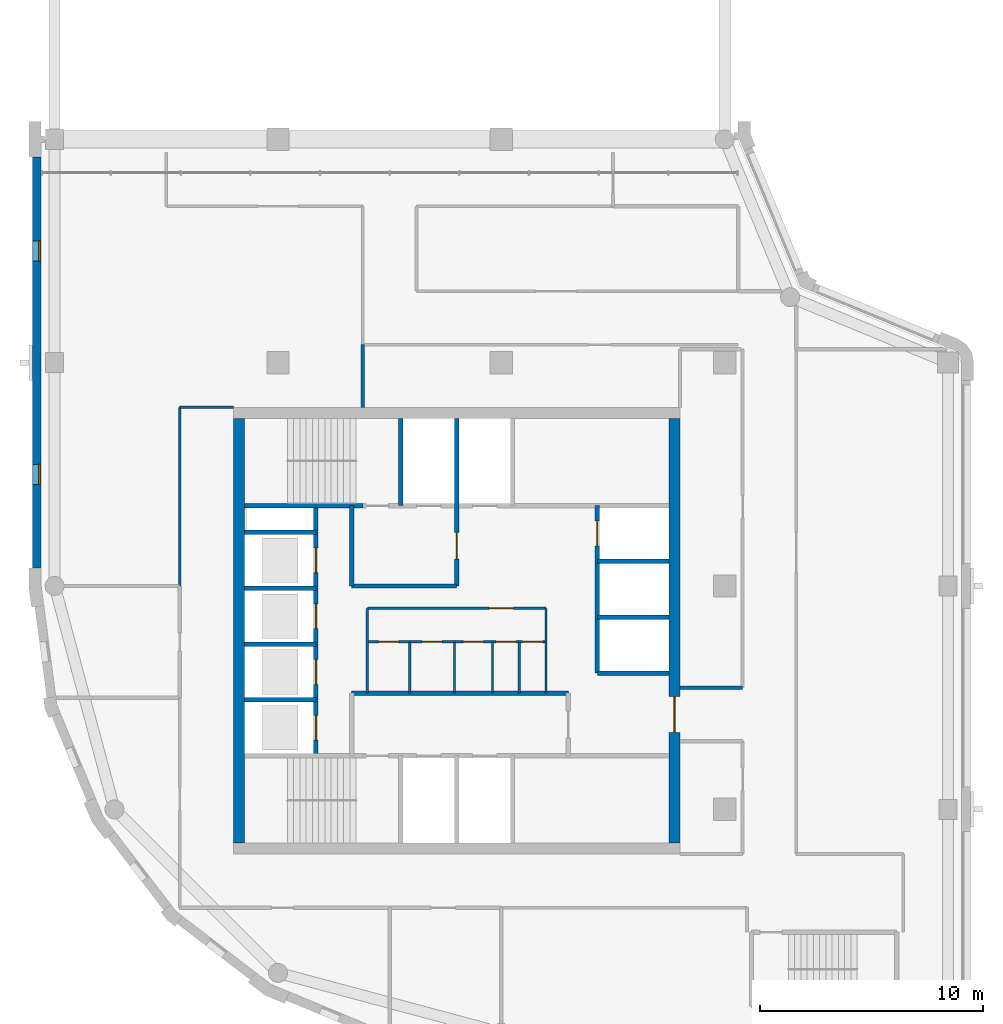
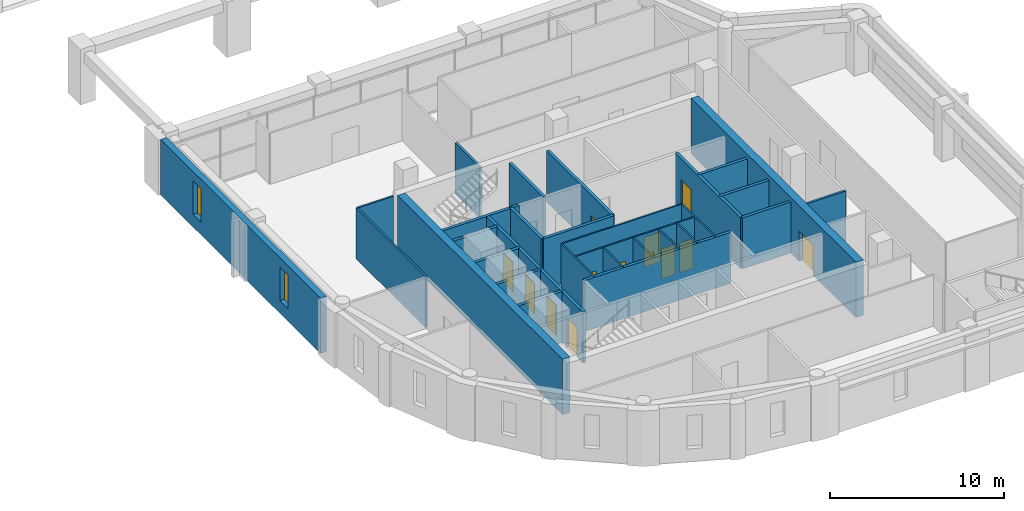
# One storey, part 6 of 11: 30 walls, 13 doors, 2 windows, 15 openings.
"""IFC4 building model written with IfcOpenShell, lengths in metres."""

from ifc_helpers import new_model, si_unit, direction, frame, frame_2d, origin, place, context, subcontext, project, spatial, rectangle, extrude, material, layer, layer_set, type_object, element, fill, save


model = new_model("IFC4")

# Units and contexts
model_context = context("Model", 3, precision=1e-05, world=origin(), true_north=direction((0.0, 1.0)))
body_context = subcontext(model_context, "Body", "Model", "MODEL_VIEW")
ifc_project = project(units=[si_unit("LENGTHUNIT", "METRE"), si_unit("AREAUNIT", "SQUARE_METRE"), si_unit("VOLUMEUNIT", "CUBIC_METRE"), si_unit("PLANEANGLEUNIT", "RADIAN"), si_unit("MASSUNIT", "GRAM", prefix="KILO")], contexts=[model_context])

# Site, building, storey
site_placement = place(None, origin())
site = spatial("IfcSite", under=ifc_project, at=site_placement, CompositionType="ELEMENT")
building_placement = place(site_placement, origin())
building = spatial("IfcBuilding", under=site, at=building_placement, Name="Qaws Garden Tower", CompositionType="ELEMENT")
storey_placement = place(building_placement, frame((0.0, 0.0, 321.60009765625)))
storey = spatial("IfcBuildingStorey", under=building, at=storey_placement, Name="L78", CompositionType="ELEMENT", Elevation=321.60009765625)

# Wall, openings, windows
ifc_material_1 = material(Name="Clay facing brick masonry", Category="masonry")
ifc_layer_1 = layer(ifc_material_1, 0.39990234375)
ifc_layer_set_1 = layer_set([ifc_layer_1], Name="Clay facing brick masonry")
wall_type_1 = type_object("IfcWallType", Name="Brick infill wall 400", PredefinedType="SOLIDWALL", material=ifc_layer_set_1)
wall_1_placement = place(storey_placement, frame((-0.800048828125, 39.199951171875, 0.0), z_axis=(0.0, 0.0, 1.0), x_axis=(0.0, -1.0, 0.0)))
wall_1 = element("IfcWall", 1, at=wall_1_placement, inside=storey, type_object=wall_type_1, Name="E-L78-infill-19", PredefinedType="SOLIDWALL", context=body_context, shape_type="SweptSolid", body=[
    extrude(rectangle(XDim=18.39990234375, YDim=0.39990234375, at=frame_2d((9.199951171875, 0.0))), origin(), (0.0, 0.0, 1.0), 3.89990234375),
])
opening_1_placement = place(wall_1_placement, frame((3.75, 0.0, 0.89990234375)))
opening_1 = element("IfcOpeningElement", 2, at=opening_1_placement, cuts=wall_1, Name="Opening W09", PredefinedType="OPENING", context=body_context, shape_type="SweptSolid", body=[
    extrude(rectangle(XDim=0.89990234375, YDim=2.35009765625, at=frame_2d((0.449951171875, 1.175048828125))), frame((0.0, 0.2099609375, 0.0), z_axis=(0.0, -1.0, 0.0), x_axis=(1.0, 0.0, 0.0)), (0.0, 0.0, 1.0), 0.419921875),
])
opening_2_placement = place(wall_1_placement, frame((13.75, 0.0, 0.89990234375)))
opening_2 = element("IfcOpeningElement", 3, at=opening_2_placement, cuts=wall_1, Name="Opening W09", PredefinedType="OPENING", context=body_context, shape_type="SweptSolid", body=[
    extrude(rectangle(XDim=0.89990234375, YDim=2.35009765625, at=frame_2d((0.449951171875, 1.175048828125))), frame((0.0, 0.2099609375, 0.0), z_axis=(0.0, -1.0, 0.0), x_axis=(1.0, 0.0, 0.0)), (0.0, 0.0, 1.0), 0.419921875),
])
ifc_material_2 = material(Name="Aluminium framed window, clear glazing", Category="aluminium")
window_type = type_object("IfcWindowType", Name="Slit window 900 x 2350", PartitioningType="SINGLE_PANEL", PredefinedType="WINDOW", material=ifc_material_2)
window_1_placement = place(opening_1_placement, origin())
window_1 = element("IfcWindow", 4, at=window_1_placement, inside=storey, type_object=window_type, Name="E-L78-window-19-0", OverallHeight=2.35009765625, OverallWidth=0.89990234375, PartitioningType="SINGLE_PANEL", PredefinedType="WINDOW", context=body_context, shape_type="SweptSolid", body=[
    extrude(rectangle(XDim=0.89990234375, YDim=2.35009765625, at=frame_2d((0.449951171875, 1.175048828125))), frame((0.0, 0.159912109375, 0.0), z_axis=(0.0, -1.0, 0.0), x_axis=(1.0, 0.0, 0.0)), (0.0, 0.0, 1.0), 0.06005859375),
])
fill(opening_1, window_1)
window_2_placement = place(opening_2_placement, origin())
window_2 = element("IfcWindow", 5, at=window_2_placement, inside=storey, type_object=window_type, Name="E-L78-window-20-0", OverallHeight=2.35009765625, OverallWidth=0.89990234375, PartitioningType="SINGLE_PANEL", PredefinedType="WINDOW", context=body_context, shape_type="SweptSolid", body=[
    extrude(rectangle(XDim=0.89990234375, YDim=2.35009765625, at=frame_2d((0.449951171875, 1.175048828125))), frame((0.0, 0.159912109375, 0.0), z_axis=(0.0, -1.0, 0.0), x_axis=(1.0, 0.0, 0.0)), (0.0, 0.0, 1.0), 0.06005859375),
])
fill(opening_2, window_2)

# Wall, openings, doors
ifc_material_3 = material(Name="Plasterboard")
ifc_layer_2 = layer(ifc_material_3, 0.10009765625)
ifc_layer_set_2 = layer_set([ifc_layer_2], Name="Plasterboard")
wall_type_2 = type_object("IfcWallType", Name="Core partition 100", PredefinedType="PARTITIONING", material=ifc_layer_set_2)
wall_2_placement = place(storey_placement, frame((14.0, 17.5, 0.0), z_axis=(0.0, 0.0, 1.0), x_axis=(1.0, 0.0, 0.0)))
wall_2 = element("IfcWall", 6, at=wall_2_placement, inside=storey, type_object=wall_type_2, Name="Core partition", PredefinedType="PARTITIONING", context=body_context, shape_type="SweptSolid", body=[
    extrude(rectangle(XDim=8.0, YDim=0.10009765625, at=frame_2d((4.0, 0.0))), origin(), (0.0, 0.0, 1.0), 3.579833984375),
])
opening_3_placement = place(wall_2_placement, frame((0.5, 0.0, 0.0)))
opening_3 = element("IfcOpeningElement", 7, at=opening_3_placement, cuts=wall_2, Name="Opening WD18", PredefinedType="OPENING", context=body_context, shape_type="SweptSolid", body=[
    extrude(rectangle(XDim=0.89990234375, YDim=2.10009765625, at=frame_2d((0.449951171875, 1.050048828125))), frame((0.0, 0.06005859375, 0.0), z_axis=(0.0, -1.0, 0.0), x_axis=(1.0, 0.0, 0.0)), (0.0, 0.0, 1.0), 0.1201171875),
])
opening_4_placement = place(wall_2_placement, frame((2.449951171875, 0.0, 0.0)))
opening_4 = element("IfcOpeningElement", 8, at=opening_4_placement, cuts=wall_2, Name="Opening WD19", PredefinedType="OPENING", context=body_context, shape_type="SweptSolid", body=[
    extrude(rectangle(XDim=0.89990234375, YDim=2.10009765625, at=frame_2d((0.449951171875, 1.050048828125))), frame((0.0, 0.06005859375, 0.0), z_axis=(0.0, -1.0, 0.0), x_axis=(1.0, 0.0, 0.0)), (0.0, 0.0, 1.0), 0.1201171875),
])
opening_5_placement = place(wall_2_placement, frame((4.300048828125, 0.0, 0.0)))
opening_5 = element("IfcOpeningElement", 9, at=opening_5_placement, cuts=wall_2, Name="Opening WD20", PredefinedType="OPENING", context=body_context, shape_type="SweptSolid", body=[
    extrude(rectangle(XDim=0.89990234375, YDim=2.10009765625, at=frame_2d((0.449951171875, 1.050048828125))), frame((0.0, 0.06005859375, 0.0), z_axis=(0.0, -1.0, 0.0), x_axis=(1.0, 0.0, 0.0)), (0.0, 0.0, 1.0), 0.1201171875),
])
opening_6_placement = place(wall_2_placement, frame((5.75, 0.0, 0.0)))
opening_6 = element("IfcOpeningElement", 10, at=opening_6_placement, cuts=wall_2, Name="Opening WD21", PredefinedType="OPENING", context=body_context, shape_type="SweptSolid", body=[
    extrude(rectangle(XDim=0.89990234375, YDim=2.10009765625, at=frame_2d((0.449951171875, 1.050048828125))), frame((0.0, 0.06005859375, 0.0), z_axis=(0.0, -1.0, 0.0), x_axis=(1.0, 0.0, 0.0)), (0.0, 0.0, 1.0), 0.1201171875),
])
opening_7_placement = place(wall_2_placement, frame((6.949951171875, 0.0, 0.0)))
opening_7 = element("IfcOpeningElement", 11, at=opening_7_placement, cuts=wall_2, Name="Opening WD22", PredefinedType="OPENING", context=body_context, shape_type="SweptSolid", body=[
    extrude(rectangle(XDim=0.89990234375, YDim=2.10009765625, at=frame_2d((0.449951171875, 1.050048828125))), frame((0.0, 0.06005859375, 0.0), z_axis=(0.0, -1.0, 0.0), x_axis=(1.0, 0.0, 0.0)), (0.0, 0.0, 1.0), 0.1201171875),
])
ifc_material_4 = material(Name="Timber", Category="wood")
door_type_1 = type_object("IfcDoorType", Name="WC door 900x2100", OperationType="SINGLE_SWING_LEFT", PredefinedType="DOOR", material=ifc_material_4)
door_1_placement = place(opening_3_placement, frame((0.89990234375, 0.0, 0.0), z_axis=(0.0, 0.0, 1.0), x_axis=(-1.0, 0.0, 0.0)))
door_1 = element("IfcDoor", 12, at=door_1_placement, inside=storey, type_object=door_type_1, Name="Men's WC door", OperationType="SINGLE_SWING_LEFT", OverallHeight=2.10009765625, OverallWidth=0.89990234375, PredefinedType="DOOR", context=body_context, shape_type="SweptSolid", body=[
    extrude(rectangle(XDim=0.89990234375, YDim=2.10009765625, at=frame_2d((0.449951171875, 1.050048828125))), frame((0.0, 0.02490234375, 0.0), z_axis=(0.0, -1.0, 0.0), x_axis=(1.0, 0.0, 0.0)), (0.0, 0.0, 1.0), 0.050048828125),
])
fill(opening_3, door_1)
door_2_placement = place(opening_4_placement, frame((0.89990234375, 0.0, 0.0), z_axis=(0.0, 0.0, 1.0), x_axis=(-1.0, 0.0, 0.0)))
door_2 = element("IfcDoor", 13, at=door_2_placement, inside=storey, type_object=door_type_1, Name="Women's WC door", OperationType="SINGLE_SWING_LEFT", OverallHeight=2.10009765625, OverallWidth=0.89990234375, PredefinedType="DOOR", context=body_context, shape_type="SweptSolid", body=[
    extrude(rectangle(XDim=0.89990234375, YDim=2.10009765625, at=frame_2d((0.449951171875, 1.050048828125))), frame((0.0, 0.02490234375, 0.0), z_axis=(0.0, -1.0, 0.0), x_axis=(1.0, 0.0, 0.0)), (0.0, 0.0, 1.0), 0.050048828125),
])
fill(opening_4, door_2)
door_3_placement = place(opening_5_placement, frame((0.89990234375, 0.0, 0.0), z_axis=(0.0, 0.0, 1.0), x_axis=(-1.0, 0.0, 0.0)))
door_3 = element("IfcDoor", 14, at=door_3_placement, inside=storey, type_object=door_type_1, Name="Accessible WC door", OperationType="SINGLE_SWING_LEFT", OverallHeight=2.10009765625, OverallWidth=0.89990234375, PredefinedType="DOOR", context=body_context, shape_type="SweptSolid", body=[
    extrude(rectangle(XDim=0.89990234375, YDim=2.10009765625, at=frame_2d((0.449951171875, 1.050048828125))), frame((0.0, 0.02490234375, 0.0), z_axis=(0.0, -1.0, 0.0), x_axis=(1.0, 0.0, 0.0)), (0.0, 0.0, 1.0), 0.050048828125),
])
fill(opening_5, door_3)
door_4_placement = place(opening_6_placement, frame((0.89990234375, 0.0, 0.0), z_axis=(0.0, 0.0, 1.0), x_axis=(-1.0, 0.0, 0.0)))
door_4 = element("IfcDoor", 15, at=door_4_placement, inside=storey, type_object=door_type_1, Name="Linen store door", OperationType="SINGLE_SWING_LEFT", OverallHeight=2.10009765625, OverallWidth=0.89990234375, PredefinedType="DOOR", context=body_context, shape_type="SweptSolid", body=[
    extrude(rectangle(XDim=0.89990234375, YDim=2.10009765625, at=frame_2d((0.449951171875, 1.050048828125))), frame((0.0, 0.02490234375, 0.0), z_axis=(0.0, -1.0, 0.0), x_axis=(1.0, 0.0, 0.0)), (0.0, 0.0, 1.0), 0.050048828125),
])
fill(opening_6, door_4)
door_5_placement = place(opening_7_placement, frame((0.89990234375, 0.0, 0.0), z_axis=(0.0, 0.0, 1.0), x_axis=(-1.0, 0.0, 0.0)))
door_5 = element("IfcDoor", 16, at=door_5_placement, inside=storey, type_object=door_type_1, Name="Cleaner's store door", OperationType="SINGLE_SWING_LEFT", OverallHeight=2.10009765625, OverallWidth=0.89990234375, PredefinedType="DOOR", context=body_context, shape_type="SweptSolid", body=[
    extrude(rectangle(XDim=0.89990234375, YDim=2.10009765625, at=frame_2d((0.449951171875, 1.050048828125))), frame((0.0, 0.02490234375, 0.0), z_axis=(0.0, -1.0, 0.0), x_axis=(1.0, 0.0, 0.0)), (0.0, 0.0, 1.0), 0.050048828125),
])
fill(opening_7, door_5)

# Wall, opening, door
wall_3_placement = place(storey_placement, frame((14.0, 19.0, 0.0), z_axis=(0.0, 0.0, 1.0), x_axis=(1.0, 0.0, 0.0)))
wall_3 = element("IfcWall", 17, at=wall_3_placement, inside=storey, type_object=wall_type_2, Name="Core partition", PredefinedType="PARTITIONING", context=body_context, shape_type="SweptSolid", body=[
    extrude(rectangle(XDim=8.0, YDim=0.10009765625, at=frame_2d((4.0, 0.0))), origin(), (0.0, 0.0, 1.0), 3.579833984375),
])
opening_8_placement = place(wall_3_placement, frame((5.449951171875, 0.0, 0.0)))
opening_8 = element("IfcOpeningElement", 18, at=opening_8_placement, cuts=wall_3, Name="Opening WL17", PredefinedType="OPENING", context=body_context, shape_type="SweptSolid", body=[
    extrude(rectangle(XDim=1.10009765625, YDim=2.10009765625, at=frame_2d((0.550048828125, 1.050048828125))), frame((0.0, 0.06005859375, 0.0), z_axis=(0.0, -1.0, 0.0), x_axis=(1.0, 0.0, 0.0)), (0.0, 0.0, 1.0), 0.1201171875),
])
ifc_material_5 = material(Name="Timber", Category="wood")
door_type_2 = type_object("IfcDoorType", Name="WC lobby door 1100x2100", OperationType="SINGLE_SWING_LEFT", PredefinedType="DOOR", material=ifc_material_5)
door_6_placement = place(opening_8_placement, frame((1.10009765625, 0.0, 0.0), z_axis=(0.0, 0.0, 1.0), x_axis=(-1.0, 0.0, 0.0)))
door_6 = element("IfcDoor", 19, at=door_6_placement, inside=storey, type_object=door_type_2, Name="WC lobby door", OperationType="SINGLE_SWING_LEFT", OverallHeight=2.10009765625, OverallWidth=1.10009765625, PredefinedType="DOOR", context=body_context, shape_type="SweptSolid", body=[
    extrude(rectangle(XDim=1.10009765625, YDim=2.10009765625, at=frame_2d((0.550048828125, 1.050048828125))), frame((0.0, 0.02490234375, 0.0), z_axis=(0.0, -1.0, 0.0), x_axis=(1.0, 0.0, 0.0)), (0.0, 0.0, 1.0), 0.050048828125),
])
fill(opening_8, door_6)

# Walls
wall_4_placement = place(storey_placement, frame((14.0, 15.199951171875, 0.0), z_axis=(0.0, 0.0, 1.0), x_axis=(0.0, 1.0, 0.0)))
element("IfcWall", 20, at=wall_4_placement, inside=storey, type_object=wall_type_2, Name="Core partition", PredefinedType="PARTITIONING", context=body_context, shape_type="SweptSolid", body=[
    extrude(rectangle(XDim=3.800048828125, YDim=0.10009765625, at=frame_2d((1.89990234375, 0.0))), origin(), (0.0, 0.0, 1.0), 3.579833984375),
])
for number, where, z_axis, x_axis, name in (
    (21, (15.89990234375, 15.199951171875, 0.0), (0.0, 0.0, 1.0), (0.0, 1.0, 0.0), "Core partition"),
    (22, (17.89990234375, 15.199951171875, 0.0), (0.0, 0.0, 1.0), (0.0, 1.0, 0.0), "Core partition"),
    (23, (19.60009765625, 15.199951171875, 0.0), (0.0, 0.0, 1.0), (0.0, 1.0, 0.0), "Core partition"),
    (24, (20.800048828125, 15.199951171875, 0.0), (0.0, 0.0, 1.0), (0.0, 1.0, 0.0), "Core partition"),
):
    element("IfcWall", number, at=place(storey_placement, frame(where, z_axis=z_axis, x_axis=x_axis)), inside=storey, type_object=wall_type_2, Name=name, PredefinedType="PARTITIONING", context=body_context, shape_type="SweptSolid", body=[
        extrude(rectangle(XDim=2.300048828125, YDim=0.10009765625, at=frame_2d((1.14990234375, 0.0))), origin(), (0.0, 0.0, 1.0), 3.579833984375),
    ])
wall_5_placement = place(storey_placement, frame((22.0, 15.199951171875, 0.0), z_axis=(0.0, 0.0, 1.0), x_axis=(0.0, 1.0, 0.0)))
element("IfcWall", 25, at=wall_5_placement, inside=storey, type_object=wall_type_2, Name="Core partition", PredefinedType="PARTITIONING", context=body_context, shape_type="SweptSolid", body=[
    extrude(rectangle(XDim=3.800048828125, YDim=0.10009765625, at=frame_2d((1.89990234375, 0.0))), origin(), (0.0, 0.0, 1.0), 3.579833984375),
])
ifc_material_6 = material(Name="Concrete C60", Category="concrete")
ifc_layer_3 = layer(ifc_material_6, 0.199951171875)
ifc_layer_set_3 = layer_set([ifc_layer_3], Name="Concrete C60")
wall_type_3 = type_object("IfcWallType", Name="Core shaft wall 200 C60", PredefinedType="SHEAR", material=ifc_layer_set_3)
wall_6_placement = place(storey_placement, frame((8.5, 14.89990234375, 0.0), z_axis=(0.0, 0.0, 1.0), x_axis=(1.0, 0.0, 0.0)))
element("IfcWall", 26, at=wall_6_placement, inside=storey, type_object=wall_type_3, Name="Shaft wall", PredefinedType="SHEAR", context=body_context, shape_type="SweptSolid", body=[
    extrude(rectangle(XDim=3.199951171875, YDim=0.199951171875, at=frame_2d((1.60009765625, 0.0))), origin(), (0.0, 0.0, 1.0), 3.579833984375),
])
wall_7_placement = place(storey_placement, frame((13.300048828125, 15.199951171875, 0.0), z_axis=(0.0, 0.0, 1.0), x_axis=(1.0, 0.0, 0.0)))
element("IfcWall", 27, at=wall_7_placement, inside=storey, type_object=wall_type_3, Name="Shaft wall", PredefinedType="SHEAR", context=body_context, shape_type="SweptSolid", body=[
    extrude(rectangle(XDim=9.699951171875, YDim=0.199951171875, at=frame_2d((4.85009765625, 0.0))), origin(), (0.0, 0.0, 1.0), 3.579833984375),
])
for number, where, z_axis, x_axis, name in (
    (28, (24.300048828125, 16.10009765625, 0.0), (0.0, 0.0, 1.0), (1.0, 0.0, 0.0), "Shaft wall"),
    (29, (8.5, 17.39990234375, 0.0), (0.0, 0.0, 1.0), (1.0, 0.0, 0.0), "Shaft wall"),
    (30, (24.300048828125, 18.60009765625, 0.0), (0.0, 0.0, 1.0), (1.0, 0.0, 0.0), "Shaft wall"),
    (31, (8.5, 19.89990234375, 0.0), (0.0, 0.0, 1.0), (1.0, 0.0, 0.0), "Shaft wall"),
):
    element("IfcWall", number, at=place(storey_placement, frame(where, z_axis=z_axis, x_axis=x_axis)), inside=storey, type_object=wall_type_3, Name=name, PredefinedType="SHEAR", context=body_context, shape_type="SweptSolid", body=[
        extrude(rectangle(XDim=3.199951171875, YDim=0.199951171875, at=frame_2d((1.60009765625, 0.0))), origin(), (0.0, 0.0, 1.0), 3.579833984375),
    ])
wall_8_placement = place(storey_placement, frame((13.300048828125, 20.0, 0.0), z_axis=(0.0, 0.0, 1.0), x_axis=(1.0, 0.0, 0.0)))
element("IfcWall", 32, at=wall_8_placement, inside=storey, type_object=wall_type_3, Name="Shaft wall", PredefinedType="SHEAR", context=body_context, shape_type="SweptSolid", body=[
    extrude(rectangle(XDim=4.699951171875, YDim=0.199951171875, at=frame_2d((2.35009765625, 0.0))), origin(), (0.0, 0.0, 1.0), 3.579833984375),
])
for number, where, z_axis, x_axis, name in (
    (33, (24.300048828125, 21.10009765625, 0.0), (0.0, 0.0, 1.0), (1.0, 0.0, 0.0), "Shaft wall"),
    (34, (8.5, 22.39990234375, 0.0), (0.0, 0.0, 1.0), (1.0, 0.0, 0.0), "Shaft wall"),
):
    element("IfcWall", number, at=place(storey_placement, frame(where, z_axis=z_axis, x_axis=x_axis)), inside=storey, type_object=wall_type_3, Name=name, PredefinedType="SHEAR", context=body_context, shape_type="SweptSolid", body=[
        extrude(rectangle(XDim=3.199951171875, YDim=0.199951171875, at=frame_2d((1.60009765625, 0.0))), origin(), (0.0, 0.0, 1.0), 3.579833984375),
    ])
wall_9_placement = place(storey_placement, frame((8.5, 23.60009765625, 0.0), z_axis=(0.0, 0.0, 1.0), x_axis=(1.0, 0.0, 0.0)))
element("IfcWall", 35, at=wall_9_placement, inside=storey, type_object=wall_type_3, Name="Shaft wall", PredefinedType="SHEAR", context=body_context, shape_type="SweptSolid", body=[
    extrude(rectangle(XDim=5.300048828125, YDim=0.199951171875, at=frame_2d((2.64990234375, 0.0))), origin(), (0.0, 0.0, 1.0), 3.579833984375),
])

# Wall, openings, doors
wall_10_placement = place(storey_placement, frame((11.699951171875, 12.39990234375, 0.0), z_axis=(0.0, 0.0, 1.0), x_axis=(0.0, 1.0, 0.0)))
wall_10 = element("IfcWall", 36, at=wall_10_placement, inside=storey, type_object=wall_type_3, Name="Shaft wall", PredefinedType="SHEAR", context=body_context, shape_type="SweptSolid", body=[
    extrude(rectangle(XDim=11.2001953125, YDim=0.199951171875, at=frame_2d((5.60009765625, 0.0))), origin(), (0.0, 0.0, 1.0), 3.579833984375),
])
opening_9_placement = place(wall_10_placement, frame((0.699951171875, 0.0, 0.0)))
opening_9 = element("IfcOpeningElement", 37, at=opening_9_placement, cuts=wall_10, Name="Opening LD01", PredefinedType="OPENING", context=body_context, shape_type="SweptSolid", body=[
    extrude(rectangle(XDim=1.10009765625, YDim=2.10009765625, at=frame_2d((0.550048828125, 1.050048828125))), frame((0.0, 0.10986328125, 0.0), z_axis=(0.0, -1.0, 0.0), x_axis=(1.0, 0.0, 0.0)), (0.0, 0.0, 1.0), 0.219970703125),
])
opening_10_placement = place(wall_10_placement, frame((3.199951171875, 0.0, 0.0)))
opening_10 = element("IfcOpeningElement", 38, at=opening_10_placement, cuts=wall_10, Name="Opening LD02", PredefinedType="OPENING", context=body_context, shape_type="SweptSolid", body=[
    extrude(rectangle(XDim=1.10009765625, YDim=2.10009765625, at=frame_2d((0.550048828125, 1.050048828125))), frame((0.0, 0.10986328125, 0.0), z_axis=(0.0, -1.0, 0.0), x_axis=(1.0, 0.0, 0.0)), (0.0, 0.0, 1.0), 0.219970703125),
])
opening_11_placement = place(wall_10_placement, frame((5.699951171875, 0.0, 0.0)))
opening_11 = element("IfcOpeningElement", 39, at=opening_11_placement, cuts=wall_10, Name="Opening LD03", PredefinedType="OPENING", context=body_context, shape_type="SweptSolid", body=[
    extrude(rectangle(XDim=1.10009765625, YDim=2.10009765625, at=frame_2d((0.550048828125, 1.050048828125))), frame((0.0, 0.10986328125, 0.0), z_axis=(0.0, -1.0, 0.0), x_axis=(1.0, 0.0, 0.0)), (0.0, 0.0, 1.0), 0.219970703125),
])
opening_12_placement = place(wall_10_placement, frame((8.199951171875, 0.0, 0.0)))
opening_12 = element("IfcOpeningElement", 40, at=opening_12_placement, cuts=wall_10, Name="Opening LD04", PredefinedType="OPENING", context=body_context, shape_type="SweptSolid", body=[
    extrude(rectangle(XDim=1.10009765625, YDim=2.10009765625, at=frame_2d((0.550048828125, 1.050048828125))), frame((0.0, 0.10986328125, 0.0), z_axis=(0.0, -1.0, 0.0), x_axis=(1.0, 0.0, 0.0)), (0.0, 0.0, 1.0), 0.219970703125),
])
ifc_material_7 = material(Name="Steel S235", Category="steel")
door_type_3 = type_object("IfcDoorType", Name="Landing door 1100x2100", OperationType="DOUBLE_DOOR_SLIDING", PredefinedType="DOOR", material=ifc_material_7)
door_7_placement = place(opening_9_placement, origin())
door_7 = element("IfcDoor", 41, at=door_7_placement, inside=storey, type_object=door_type_3, Name="Lift W1 landing door", OperationType="DOUBLE_DOOR_SLIDING", OverallHeight=2.10009765625, OverallWidth=1.10009765625, PredefinedType="DOOR", context=body_context, shape_type="SweptSolid", body=[
    extrude(rectangle(XDim=1.10009765625, YDim=2.10009765625, at=frame_2d((0.550048828125, 1.050048828125))), frame((0.0, 0.02490234375, 0.0), z_axis=(0.0, -1.0, 0.0), x_axis=(1.0, 0.0, 0.0)), (0.0, 0.0, 1.0), 0.050048828125),
])
fill(opening_9, door_7)
door_8_placement = place(opening_10_placement, origin())
door_8 = element("IfcDoor", 42, at=door_8_placement, inside=storey, type_object=door_type_3, Name="Lift W2 landing door", OperationType="DOUBLE_DOOR_SLIDING", OverallHeight=2.10009765625, OverallWidth=1.10009765625, PredefinedType="DOOR", context=body_context, shape_type="SweptSolid", body=[
    extrude(rectangle(XDim=1.10009765625, YDim=2.10009765625, at=frame_2d((0.550048828125, 1.050048828125))), frame((0.0, 0.02490234375, 0.0), z_axis=(0.0, -1.0, 0.0), x_axis=(1.0, 0.0, 0.0)), (0.0, 0.0, 1.0), 0.050048828125),
])
fill(opening_10, door_8)
door_9_placement = place(opening_11_placement, origin())
door_9 = element("IfcDoor", 43, at=door_9_placement, inside=storey, type_object=door_type_3, Name="Lift W3 landing door", OperationType="DOUBLE_DOOR_SLIDING", OverallHeight=2.10009765625, OverallWidth=1.10009765625, PredefinedType="DOOR", context=body_context, shape_type="SweptSolid", body=[
    extrude(rectangle(XDim=1.10009765625, YDim=2.10009765625, at=frame_2d((0.550048828125, 1.050048828125))), frame((0.0, 0.02490234375, 0.0), z_axis=(0.0, -1.0, 0.0), x_axis=(1.0, 0.0, 0.0)), (0.0, 0.0, 1.0), 0.050048828125),
])
fill(opening_11, door_9)
door_10_placement = place(opening_12_placement, origin())
door_10 = element("IfcDoor", 44, at=door_10_placement, inside=storey, type_object=door_type_3, Name="Lift W4 landing door", OperationType="DOUBLE_DOOR_SLIDING", OverallHeight=2.10009765625, OverallWidth=1.10009765625, PredefinedType="DOOR", context=body_context, shape_type="SweptSolid", body=[
    extrude(rectangle(XDim=1.10009765625, YDim=2.10009765625, at=frame_2d((0.550048828125, 1.050048828125))), frame((0.0, 0.02490234375, 0.0), z_axis=(0.0, -1.0, 0.0), x_axis=(1.0, 0.0, 0.0)), (0.0, 0.0, 1.0), 0.050048828125),
])
fill(opening_12, door_10)

# Walls
wall_11_placement = place(storey_placement, frame((13.300048828125, 20.0, 0.0), z_axis=(0.0, 0.0, 1.0), x_axis=(0.0, 1.0, 0.0)))
element("IfcWall", 45, at=wall_11_placement, inside=storey, type_object=wall_type_3, Name="Shaft wall", PredefinedType="SHEAR", context=body_context, shape_type="SweptSolid", body=[
    extrude(rectangle(XDim=3.60009765625, YDim=0.199951171875, at=frame_2d((1.800048828125, 0.0))), origin(), (0.0, 0.0, 1.0), 3.579833984375),
])
wall_12_placement = place(storey_placement, frame((15.5, 23.60009765625, 0.0), z_axis=(0.0, 0.0, 1.0), x_axis=(0.0, 1.0, 0.0)))
element("IfcWall", 46, at=wall_12_placement, inside=storey, type_object=wall_type_3, Name="Shaft wall", PredefinedType="SHEAR", context=body_context, shape_type="SweptSolid", body=[
    extrude(rectangle(XDim=3.89990234375, YDim=0.199951171875, at=frame_2d((1.949951171875, 0.0))), origin(), (0.0, 0.0, 1.0), 3.579833984375),
])

# Wall, opening, door
wall_13_placement = place(storey_placement, frame((18.0, 20.0, 0.0), z_axis=(0.0, 0.0, 1.0), x_axis=(0.0, 1.0, 0.0)))
wall_13 = element("IfcWall", 47, at=wall_13_placement, inside=storey, type_object=wall_type_3, Name="Shaft wall", PredefinedType="SHEAR", context=body_context, shape_type="SweptSolid", body=[
    extrude(rectangle(XDim=7.5, YDim=0.199951171875, at=frame_2d((3.75, 0.0))), origin(), (0.0, 0.0, 1.0), 3.579833984375),
])
opening_13_placement = place(wall_13_placement, frame((1.199951171875, 0.0, 0.0)))
opening_13 = element("IfcOpeningElement", 48, at=opening_13_placement, cuts=wall_13, Name="Opening FD16", PredefinedType="OPENING", context=body_context, shape_type="SweptSolid", body=[
    extrude(rectangle(XDim=1.199951171875, YDim=2.10009765625, at=frame_2d((0.60009765625, 1.050048828125))), frame((0.0, 0.10986328125, 0.0), z_axis=(0.0, -1.0, 0.0), x_axis=(1.0, 0.0, 0.0)), (0.0, 0.0, 1.0), 0.219970703125),
])
ifc_material_8 = material(Name="Steel S235", Category="steel")
door_type_4 = type_object("IfcDoorType", Name="Lobby door 1200x2100", OperationType="DOUBLE_DOOR_SINGLE_SWING", PredefinedType="DOOR", material=ifc_material_8)
door_11_placement = place(opening_13_placement, origin())
door_11 = element("IfcDoor", 49, at=door_11_placement, inside=storey, type_object=door_type_4, Name="Fire-fighting lobby door", OperationType="DOUBLE_DOOR_SINGLE_SWING", OverallHeight=2.10009765625, OverallWidth=1.199951171875, PredefinedType="DOOR", context=body_context, shape_type="SweptSolid", body=[
    extrude(rectangle(XDim=1.199951171875, YDim=2.10009765625, at=frame_2d((0.60009765625, 1.050048828125))), frame((0.0, 0.02490234375, 0.0), z_axis=(0.0, -1.0, 0.0), x_axis=(1.0, 0.0, 0.0)), (0.0, 0.0, 1.0), 0.050048828125),
])
fill(opening_13, door_11)

wall_14_placement = place(storey_placement, frame((24.300048828125, 16.10009765625, 0.0), z_axis=(0.0, 0.0, 1.0), x_axis=(0.0, 1.0, 0.0)))
wall_14 = element("IfcWall", 50, at=wall_14_placement, inside=storey, type_object=wall_type_3, Name="Shaft wall", PredefinedType="SHEAR", context=body_context, shape_type="SweptSolid", body=[
    extrude(rectangle(XDim=7.5, YDim=0.199951171875, at=frame_2d((3.75, 0.0))), origin(), (0.0, 0.0, 1.0), 3.579833984375),
])
opening_14_placement = place(wall_14_placement, frame((5.699951171875, 0.0, 0.0)))
opening_14 = element("IfcOpeningElement", 51, at=opening_14_placement, cuts=wall_14, Name="Opening LD05", PredefinedType="OPENING", context=body_context, shape_type="SweptSolid", body=[
    extrude(rectangle(XDim=1.10009765625, YDim=2.10009765625, at=frame_2d((0.550048828125, 1.050048828125))), frame((0.0, 0.10986328125, 0.0), z_axis=(0.0, -1.0, 0.0), x_axis=(1.0, 0.0, 0.0)), (0.0, 0.0, 1.0), 0.219970703125),
])
door_12_placement = place(opening_14_placement, origin())
door_12 = element("IfcDoor", 52, at=door_12_placement, inside=storey, type_object=door_type_3, Name="Lift E3 landing door", OperationType="DOUBLE_DOOR_SLIDING", OverallHeight=2.10009765625, OverallWidth=1.10009765625, PredefinedType="DOOR", context=body_context, shape_type="SweptSolid", body=[
    extrude(rectangle(XDim=1.10009765625, YDim=2.10009765625, at=frame_2d((0.550048828125, 1.050048828125))), frame((0.0, 0.02490234375, 0.0), z_axis=(0.0, -1.0, 0.0), x_axis=(1.0, 0.0, 0.0)), (0.0, 0.0, 1.0), 0.050048828125),
])
fill(opening_14, door_12)

ifc_material_9 = material(Name="Concrete C60", Category="concrete")
ifc_layer_4 = layer(ifc_material_9, 0.5)
ifc_layer_set_4 = layer_set([ifc_layer_4], Name="Concrete C60")
wall_type_4 = type_object("IfcWallType", Name="Core wall 500 C60", PredefinedType="SHEAR", material=ifc_layer_set_4)
wall_15_placement = place(storey_placement, frame((27.75, 8.5, 0.0), z_axis=(0.0, 0.0, 1.0), x_axis=(0.0, 1.0, 0.0)))
wall_15 = element("IfcWall", 53, at=wall_15_placement, inside=storey, type_object=wall_type_4, Name="Core wall L78 east", PredefinedType="SHEAR", context=body_context, shape_type="SweptSolid", body=[
    extrude(rectangle(XDim=19.0, YDim=0.5, at=frame_2d((9.5, 0.0))), origin(), (0.0, 0.0, 1.0), 3.89990234375),
])
opening_15_placement = place(wall_15_placement, frame((4.949951171875, 0.0, 0.0)))
opening_15 = element("IfcOpeningElement", 54, at=opening_15_placement, cuts=wall_15, Name="Opening ED23", PredefinedType="OPENING", context=body_context, shape_type="SweptSolid", body=[
    extrude(rectangle(XDim=1.60009765625, YDim=2.10009765625, at=frame_2d((0.800048828125, 1.050048828125))), frame((0.0, 0.260009765625, 0.0), z_axis=(0.0, -1.0, 0.0), x_axis=(1.0, 0.0, 0.0)), (0.0, 0.0, 1.0), 0.52001953125),
])
ifc_material_10 = material(Name="Steel S235", Category="steel")
door_type_5 = type_object("IfcDoorType", Name="Core entrance door 1600x2100", OperationType="DOUBLE_DOOR_SINGLE_SWING", PredefinedType="DOOR", material=ifc_material_10)
door_13_placement = place(opening_15_placement, origin())
door_13 = element("IfcDoor", 55, at=door_13_placement, inside=storey, type_object=door_type_5, Name="Core entrance door", OperationType="DOUBLE_DOOR_SINGLE_SWING", OverallHeight=2.10009765625, OverallWidth=1.60009765625, PredefinedType="DOOR", context=body_context, shape_type="SweptSolid", body=[
    extrude(rectangle(XDim=1.60009765625, YDim=2.10009765625, at=frame_2d((0.800048828125, 1.050048828125))), frame((0.0, 0.02490234375, 0.0), z_axis=(0.0, -1.0, 0.0), x_axis=(1.0, 0.0, 0.0)), (0.0, 0.0, 1.0), 0.050048828125),
])
fill(opening_15, door_13)

# Walls
wall_16_placement = place(storey_placement, frame((8.25, 27.5, 0.0), z_axis=(0.0, 0.0, 1.0), x_axis=(0.0, -1.0, 0.0)))
element("IfcWall", 56, at=wall_16_placement, inside=storey, type_object=wall_type_4, Name="Core wall L78 west", PredefinedType="SHEAR", context=body_context, shape_type="SweptSolid", body=[
    extrude(rectangle(XDim=19.0, YDim=0.5, at=frame_2d((9.5, 0.0))), origin(), (0.0, 0.0, 1.0), 3.89990234375),
])
ifc_material_11 = material(Name="Glass and aluminium framing", Category="aluminium")
ifc_layer_5 = layer(ifc_material_11, 0.1201171875)
ifc_layer_set_5 = layer_set([ifc_layer_5], Name="Glass and aluminium framing")
wall_type_5 = type_object("IfcWallType", Name="GLAZED PARTITION 120 EI 30", PredefinedType="PARTITIONING", material=ifc_layer_set_5)
wall_17_placement = place(storey_placement, frame((5.60009765625, 20.0, 0.0), z_axis=(0.0, 0.0, 1.0), x_axis=(0.0, 1.0, 0.0)))
element("IfcWall", 57, at=wall_17_placement, inside=storey, type_object=wall_type_5, Name="O-L78-wall-025", PredefinedType="PARTITIONING", context=body_context, shape_type="SweptSolid", body=[
    extrude(rectangle(XDim=8.0, YDim=0.1201171875, at=frame_2d((4.0, 0.0))), origin(), (0.0, 0.0, 1.0), 3.579833984375),
])
wall_18_placement = place(storey_placement, frame((5.60009765625, 28.0, 0.0), z_axis=(0.0, 0.0, 1.0), x_axis=(1.0, 0.0, 0.0)))
element("IfcWall", 58, at=wall_18_placement, inside=storey, type_object=wall_type_5, Name="O-L78-wall-035", PredefinedType="PARTITIONING", context=body_context, shape_type="SweptSolid", body=[
    extrude(rectangle(XDim=2.39990234375, YDim=0.1201171875, at=frame_2d((1.199951171875, 0.0))), origin(), (0.0, 0.0, 1.0), 3.579833984375),
])
ifc_material_12 = material(Name="Gypsum board partition")
ifc_layer_6 = layer(ifc_material_12, 0.14990234375)
ifc_layer_set_6 = layer_set([ifc_layer_6], Name="Gypsum board partition")
wall_type_6 = type_object("IfcWallType", Name="PARTITION 150 EI 60", PredefinedType="PARTITIONING", material=ifc_layer_set_6)
wall_19_placement = place(storey_placement, frame((13.800048828125, 28.0, 0.0), z_axis=(0.0, 0.0, 1.0), x_axis=(0.0, 1.0, 0.0)))
element("IfcWall", 59, at=wall_19_placement, inside=storey, type_object=wall_type_6, Name="O-L78-wall-002", PredefinedType="PARTITIONING", context=body_context, shape_type="SweptSolid", body=[
    extrude(rectangle(XDim=2.801025390625, YDim=0.14990234375, at=frame_2d((1.400390625, 0.0))), origin(), (0.0, 0.0, 1.0), 3.579833984375),
])
wall_20_placement = place(storey_placement, frame((28.0, 15.449951171875, 0.0), z_axis=(0.0, 0.0, 1.0), x_axis=(1.0, 0.0, 0.0)))
element("IfcWall", 60, at=wall_20_placement, inside=storey, type_object=wall_type_6, Name="O-L78-wall-016", PredefinedType="PARTITIONING", context=body_context, shape_type="SweptSolid", body=[
    extrude(rectangle(XDim=2.800048828125, YDim=0.14990234375, at=frame_2d((1.39990234375, 0.0))), origin(), (0.0, 0.0, 1.0), 3.579833984375),
])

save(model, "model.ifc")
